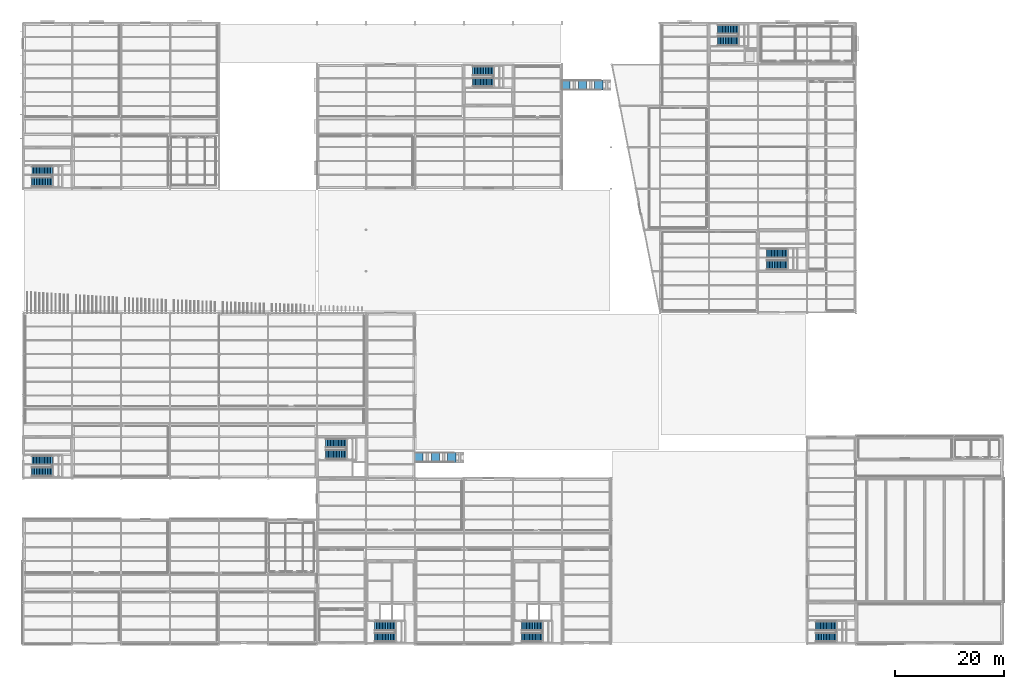
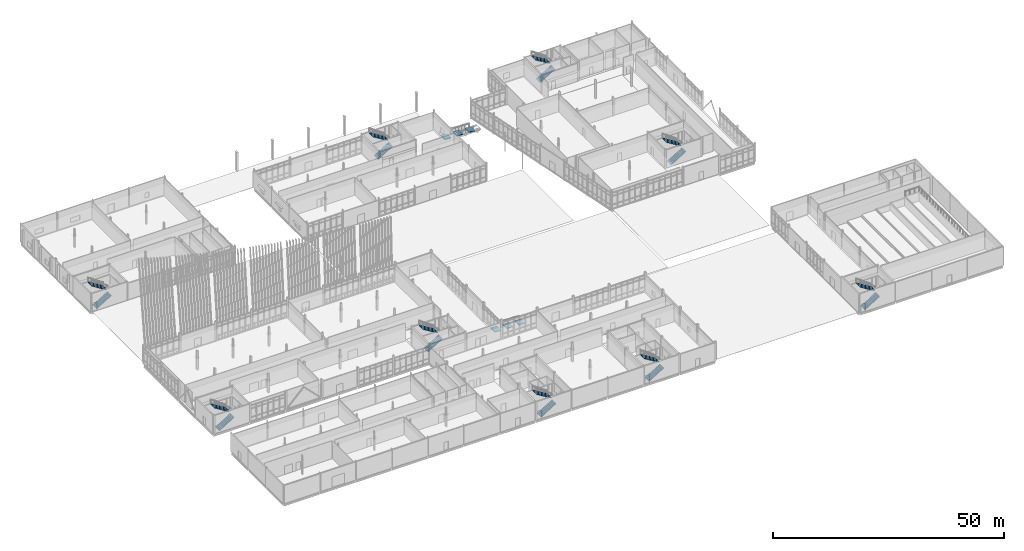
# One storey, part 151 of 161: 18 stair flights, 6 ramp flights, 11 elements without a shape of their own.
"""IFC4 building model written with IfcOpenShell, lengths in metres."""

from ifc_helpers import new_model, si_unit, direction, frame, origin, place, context, subcontext, project, spatial, polyline, outline, extrude, material, layer, layer_set, type_object, element, aggregate, save


model = new_model("IFC4")

# Units and contexts
model_context = context("Model", 3, precision=1e-05, world=origin(), true_north=direction((0.0, 1.0)))
body_context = subcontext(model_context, "Body", "Model", "MODEL_VIEW")
ifc_project = project(units=[si_unit("LENGTHUNIT", "METRE"), si_unit("AREAUNIT", "SQUARE_METRE"), si_unit("VOLUMEUNIT", "CUBIC_METRE"), si_unit("PLANEANGLEUNIT", "RADIAN"), si_unit("MASSUNIT", "GRAM", prefix="KILO")], contexts=[model_context])

# Site, building, storey
site_placement = place(None, origin())
site = spatial("IfcSite", under=ifc_project, at=site_placement, CompositionType="ELEMENT")
building_placement = place(site_placement, origin())
building = spatial("IfcBuilding", under=site, at=building_placement, Name="Caisbarro Railhouse Central Library", CompositionType="ELEMENT")
storey_placement = place(building_placement, origin())
storey = spatial("IfcBuildingStorey", under=building, at=storey_placement, Name="L00", CompositionType="ELEMENT", Elevation=0.0)

# Stair, stair flights
ifc_material = material(Name="Concrete C35", Category="concrete")
stair_type = type_object("IfcStairType", Name="STR-ST50", PredefinedType="HALF_TURN_STAIR", material=ifc_material)
stair_1_placement = place(storey_placement, origin())
stair_1 = element("IfcStair", 1, at=stair_1_placement, inside=storey, type_object=stair_type, Name="Protected Stair ST-01 (L00)", PredefinedType="HALF_TURN_STAIR")
stair_flight_type = type_object("IfcStairFlightType", Name="STF-ST50", PredefinedType="STRAIGHT", material=ifc_material)
stair_flight_1_placement = place(storey_placement, frame((64.550048828125, 1.169921875, 0.0), z_axis=(0.0, 0.0, 1.0), x_axis=(1.0, 0.0, 0.0)))
stair_flight_1 = element("IfcStairFlight", 2, at=stair_flight_1_placement, type_object=stair_flight_type, Name="ST-01 flight 1", NumberOfRisers=14, NumberOfTreads=13, PredefinedType="STRAIGHT", RiserHeight=0.18, TreadLength=0.29, context=body_context, shape_type="SweptSolid", body=[
    extrude(outline(polyline([(0.0, 0.0), (0.0, 0.179931640625), (0.2900390625, 0.179931640625), (0.2900390625, 0.360107421875), (0.580078125, 0.360107421875), (0.580078125, 0.5400390625), (0.8701171875, 0.5400390625), (0.8701171875, 0.719970703125), (1.159912109375, 0.719970703125), (1.159912109375, 0.89990234375), (1.449951171875, 0.89990234375), (1.449951171875, 1.080078125), (1.739990234375, 1.080078125), (1.739990234375, 1.260009765625), (2.030029296875, 1.260009765625), (2.030029296875, 1.43994140625), (2.320068359375, 1.43994140625), (2.320068359375, 1.6201171875), (2.610107421875, 1.6201171875), (2.610107421875, 1.800048828125), (2.89990234375, 1.800048828125), (2.89990234375, 1.97998046875), (3.18994140625, 1.97998046875), (3.18994140625, 2.159912109375), (3.47998046875, 2.159912109375), (3.47998046875, 2.340087890625), (3.77001953125, 2.340087890625), (3.77001953125, 2.52001953125), (3.77001953125, 2.15185546875), (0.30322265625, 0.0), (0.0, 0.0)])), frame((0.0, 0.830078125, 0.0), z_axis=(0.0, -1.0, 0.0), x_axis=(1.0, 0.0, 0.0)), (0.0, 0.0, 1.0), 1.659912109375),
])
stair_flight_2_placement = place(storey_placement, frame((68.360107421875, 3.280029296875, 2.52001953125), z_axis=(0.0, 0.0, 1.0), x_axis=(-1.0, 0.0, 0.0)))
stair_flight_2 = element("IfcStairFlight", 3, at=stair_flight_2_placement, type_object=stair_flight_type, Name="ST-01 flight 2", NumberOfRisers=14, NumberOfTreads=13, PredefinedType="STRAIGHT", RiserHeight=0.18, TreadLength=0.29, context=body_context, shape_type="SweptSolid", body=[
    extrude(outline(polyline([(0.0, 0.0), (0.0, 0.179931640625), (0.2900390625, 0.179931640625), (0.2900390625, 0.360107421875), (0.580078125, 0.360107421875), (0.580078125, 0.5400390625), (0.8701171875, 0.5400390625), (0.8701171875, 0.719970703125), (1.159912109375, 0.719970703125), (1.159912109375, 0.89990234375), (1.449951171875, 0.89990234375), (1.449951171875, 1.080078125), (1.739990234375, 1.080078125), (1.739990234375, 1.260009765625), (2.030029296875, 1.260009765625), (2.030029296875, 1.43994140625), (2.320068359375, 1.43994140625), (2.320068359375, 1.6201171875), (2.610107421875, 1.6201171875), (2.610107421875, 1.800048828125), (2.89990234375, 1.800048828125), (2.89990234375, 1.97998046875), (3.18994140625, 1.97998046875), (3.18994140625, 2.159912109375), (3.47998046875, 2.159912109375), (3.47998046875, 2.340087890625), (3.77001953125, 2.340087890625), (3.77001953125, 2.52001953125), (3.77001953125, 2.15185546875), (0.30322265625, 0.0), (0.0, 0.0)])), frame((0.0, 0.830078125, 0.0), z_axis=(0.0, -1.0, 0.0), x_axis=(1.0, 0.0, 0.0)), (0.0, 0.0, 1.0), 1.659912109375),
])
aggregate(stair_1, [stair_flight_1, stair_flight_2])

stair_2_placement = place(storey_placement, origin())
stair_2 = element("IfcStair", 4, at=stair_2_placement, inside=storey, type_object=stair_type, Name="Protected Stair ST-02 (L00)", PredefinedType="HALF_TURN_STAIR")
stair_flight_3_placement = place(storey_placement, frame((91.550048828125, 1.169921875, 0.0), z_axis=(0.0, 0.0, 1.0), x_axis=(1.0, 0.0, 0.0)))
stair_flight_3 = element("IfcStairFlight", 5, at=stair_flight_3_placement, type_object=stair_flight_type, Name="ST-02 flight 1", NumberOfRisers=14, NumberOfTreads=13, PredefinedType="STRAIGHT", RiserHeight=0.18, TreadLength=0.29, context=body_context, shape_type="SweptSolid", body=[
    extrude(outline(polyline([(0.0, 0.0), (0.0, 0.179931640625), (0.2900390625, 0.179931640625), (0.2900390625, 0.360107421875), (0.580078125, 0.360107421875), (0.580078125, 0.5400390625), (0.8701171875, 0.5400390625), (0.8701171875, 0.719970703125), (1.159912109375, 0.719970703125), (1.159912109375, 0.89990234375), (1.449951171875, 0.89990234375), (1.449951171875, 1.080078125), (1.739990234375, 1.080078125), (1.739990234375, 1.260009765625), (2.030029296875, 1.260009765625), (2.030029296875, 1.43994140625), (2.320068359375, 1.43994140625), (2.320068359375, 1.6201171875), (2.610107421875, 1.6201171875), (2.610107421875, 1.800048828125), (2.89990234375, 1.800048828125), (2.89990234375, 1.97998046875), (3.18994140625, 1.97998046875), (3.18994140625, 2.159912109375), (3.47998046875, 2.159912109375), (3.47998046875, 2.340087890625), (3.77001953125, 2.340087890625), (3.77001953125, 2.52001953125), (3.77001953125, 2.15185546875), (0.30322265625, 0.0), (0.0, 0.0)])), frame((0.0, 0.830078125, 0.0), z_axis=(0.0, -1.0, 0.0), x_axis=(1.0, 0.0, 0.0)), (0.0, 0.0, 1.0), 1.659912109375),
])
stair_flight_4_placement = place(storey_placement, frame((95.360107421875, 3.280029296875, 2.52001953125), z_axis=(0.0, 0.0, 1.0), x_axis=(-1.0, 0.0, 0.0)))
stair_flight_4 = element("IfcStairFlight", 6, at=stair_flight_4_placement, type_object=stair_flight_type, Name="ST-02 flight 2", NumberOfRisers=14, NumberOfTreads=13, PredefinedType="STRAIGHT", RiserHeight=0.18, TreadLength=0.29, context=body_context, shape_type="SweptSolid", body=[
    extrude(outline(polyline([(0.0, 0.0), (0.0, 0.179931640625), (0.2900390625, 0.179931640625), (0.2900390625, 0.360107421875), (0.580078125, 0.360107421875), (0.580078125, 0.5400390625), (0.8701171875, 0.5400390625), (0.8701171875, 0.719970703125), (1.159912109375, 0.719970703125), (1.159912109375, 0.89990234375), (1.449951171875, 0.89990234375), (1.449951171875, 1.080078125), (1.739990234375, 1.080078125), (1.739990234375, 1.260009765625), (2.030029296875, 1.260009765625), (2.030029296875, 1.43994140625), (2.320068359375, 1.43994140625), (2.320068359375, 1.6201171875), (2.610107421875, 1.6201171875), (2.610107421875, 1.800048828125), (2.89990234375, 1.800048828125), (2.89990234375, 1.97998046875), (3.18994140625, 1.97998046875), (3.18994140625, 2.159912109375), (3.47998046875, 2.159912109375), (3.47998046875, 2.340087890625), (3.77001953125, 2.340087890625), (3.77001953125, 2.52001953125), (3.77001953125, 2.15185546875), (0.30322265625, 0.0), (0.0, 0.0)])), frame((0.0, 0.830078125, 0.0), z_axis=(0.0, -1.0, 0.0), x_axis=(1.0, 0.0, 0.0)), (0.0, 0.0, 1.0), 1.659912109375),
])
aggregate(stair_2, [stair_flight_3, stair_flight_4])

stair_3_placement = place(storey_placement, origin())
stair_3 = element("IfcStair", 7, at=stair_3_placement, inside=storey, type_object=stair_type, Name="Protected Stair ST-03 (L00)", PredefinedType="HALF_TURN_STAIR")
stair_flight_5_placement = place(storey_placement, frame((127.550048828125, 110.719970703125, 0.0), z_axis=(0.0, 0.0, 1.0), x_axis=(1.0, 0.0, 0.0)))
stair_flight_5 = element("IfcStairFlight", 8, at=stair_flight_5_placement, type_object=stair_flight_type, Name="ST-03 flight 1", NumberOfRisers=14, NumberOfTreads=13, PredefinedType="STRAIGHT", RiserHeight=0.18, TreadLength=0.29, context=body_context, shape_type="SweptSolid", body=[
    extrude(outline(polyline([(0.0, 0.0), (0.0, 0.179931640625), (0.2900390625, 0.179931640625), (0.2900390625, 0.360107421875), (0.580078125, 0.360107421875), (0.580078125, 0.5400390625), (0.8701171875, 0.5400390625), (0.8701171875, 0.719970703125), (1.159912109375, 0.719970703125), (1.159912109375, 0.89990234375), (1.449951171875, 0.89990234375), (1.449951171875, 1.080078125), (1.739990234375, 1.080078125), (1.739990234375, 1.260009765625), (2.030029296875, 1.260009765625), (2.030029296875, 1.43994140625), (2.320068359375, 1.43994140625), (2.320068359375, 1.6201171875), (2.610107421875, 1.6201171875), (2.610107421875, 1.800048828125), (2.89990234375, 1.800048828125), (2.89990234375, 1.97998046875), (3.18994140625, 1.97998046875), (3.18994140625, 2.159912109375), (3.47998046875, 2.159912109375), (3.47998046875, 2.340087890625), (3.77001953125, 2.340087890625), (3.77001953125, 2.52001953125), (3.77001953125, 2.15185546875), (0.30322265625, 0.0), (0.0, 0.0)])), frame((0.0, 0.830078125, 0.0), z_axis=(0.0, -1.0, 0.0), x_axis=(1.0, 0.0, 0.0)), (0.0, 0.0, 1.0), 1.659912109375),
])
stair_flight_6_placement = place(storey_placement, frame((131.360107421875, 112.830078125, 2.52001953125), z_axis=(0.0, 0.0, 1.0), x_axis=(-1.0, 0.0, 0.0)))
stair_flight_6 = element("IfcStairFlight", 9, at=stair_flight_6_placement, type_object=stair_flight_type, Name="ST-03 flight 2", NumberOfRisers=14, NumberOfTreads=13, PredefinedType="STRAIGHT", RiserHeight=0.18, TreadLength=0.29, context=body_context, shape_type="SweptSolid", body=[
    extrude(outline(polyline([(0.0, 0.0), (0.0, 0.179931640625), (0.2900390625, 0.179931640625), (0.2900390625, 0.360107421875), (0.580078125, 0.360107421875), (0.580078125, 0.5400390625), (0.8701171875, 0.5400390625), (0.8701171875, 0.719970703125), (1.159912109375, 0.719970703125), (1.159912109375, 0.89990234375), (1.449951171875, 0.89990234375), (1.449951171875, 1.080078125), (1.739990234375, 1.080078125), (1.739990234375, 1.260009765625), (2.030029296875, 1.260009765625), (2.030029296875, 1.43994140625), (2.320068359375, 1.43994140625), (2.320068359375, 1.6201171875), (2.610107421875, 1.6201171875), (2.610107421875, 1.800048828125), (2.89990234375, 1.800048828125), (2.89990234375, 1.97998046875), (3.18994140625, 1.97998046875), (3.18994140625, 2.159912109375), (3.47998046875, 2.159912109375), (3.47998046875, 2.340087890625), (3.77001953125, 2.340087890625), (3.77001953125, 2.52001953125), (3.77001953125, 2.15185546875), (0.30322265625, 0.0), (0.0, 0.0)])), frame((0.0, 0.830078125, 0.0), z_axis=(0.0, -1.0, 0.0), x_axis=(1.0, 0.0, 0.0)), (0.0, 0.0, 1.0), 1.659912109375),
])
aggregate(stair_3, [stair_flight_5, stair_flight_6])

stair_4_placement = place(storey_placement, origin())
stair_4 = element("IfcStair", 10, at=stair_4_placement, inside=storey, type_object=stair_type, Name="Protected Stair ST-04 (L00)", PredefinedType="HALF_TURN_STAIR")
stair_flight_7_placement = place(storey_placement, frame((55.550048828125, 34.719970703125, 0.0), z_axis=(0.0, 0.0, 1.0), x_axis=(1.0, 0.0, 0.0)))
stair_flight_7 = element("IfcStairFlight", 11, at=stair_flight_7_placement, type_object=stair_flight_type, Name="ST-04 flight 1", NumberOfRisers=14, NumberOfTreads=13, PredefinedType="STRAIGHT", RiserHeight=0.18, TreadLength=0.29, context=body_context, shape_type="SweptSolid", body=[
    extrude(outline(polyline([(0.0, 0.0), (0.0, 0.179931640625), (0.2900390625, 0.179931640625), (0.2900390625, 0.360107421875), (0.580078125, 0.360107421875), (0.580078125, 0.5400390625), (0.8701171875, 0.5400390625), (0.8701171875, 0.719970703125), (1.159912109375, 0.719970703125), (1.159912109375, 0.89990234375), (1.449951171875, 0.89990234375), (1.449951171875, 1.080078125), (1.739990234375, 1.080078125), (1.739990234375, 1.260009765625), (2.030029296875, 1.260009765625), (2.030029296875, 1.43994140625), (2.320068359375, 1.43994140625), (2.320068359375, 1.6201171875), (2.610107421875, 1.6201171875), (2.610107421875, 1.800048828125), (2.89990234375, 1.800048828125), (2.89990234375, 1.97998046875), (3.18994140625, 1.97998046875), (3.18994140625, 2.159912109375), (3.47998046875, 2.159912109375), (3.47998046875, 2.340087890625), (3.77001953125, 2.340087890625), (3.77001953125, 2.52001953125), (3.77001953125, 2.15185546875), (0.30322265625, 0.0), (0.0, 0.0)])), frame((0.0, 0.830078125, 0.0), z_axis=(0.0, -1.0, 0.0), x_axis=(1.0, 0.0, 0.0)), (0.0, 0.0, 1.0), 1.659912109375),
])
stair_flight_8_placement = place(storey_placement, frame((59.360107421875, 36.830078125, 2.52001953125), z_axis=(0.0, 0.0, 1.0), x_axis=(-1.0, 0.0, 0.0)))
stair_flight_8 = element("IfcStairFlight", 12, at=stair_flight_8_placement, type_object=stair_flight_type, Name="ST-04 flight 2", NumberOfRisers=14, NumberOfTreads=13, PredefinedType="STRAIGHT", RiserHeight=0.18, TreadLength=0.29, context=body_context, shape_type="SweptSolid", body=[
    extrude(outline(polyline([(0.0, 0.0), (0.0, 0.179931640625), (0.2900390625, 0.179931640625), (0.2900390625, 0.360107421875), (0.580078125, 0.360107421875), (0.580078125, 0.5400390625), (0.8701171875, 0.5400390625), (0.8701171875, 0.719970703125), (1.159912109375, 0.719970703125), (1.159912109375, 0.89990234375), (1.449951171875, 0.89990234375), (1.449951171875, 1.080078125), (1.739990234375, 1.080078125), (1.739990234375, 1.260009765625), (2.030029296875, 1.260009765625), (2.030029296875, 1.43994140625), (2.320068359375, 1.43994140625), (2.320068359375, 1.6201171875), (2.610107421875, 1.6201171875), (2.610107421875, 1.800048828125), (2.89990234375, 1.800048828125), (2.89990234375, 1.97998046875), (3.18994140625, 1.97998046875), (3.18994140625, 2.159912109375), (3.47998046875, 2.159912109375), (3.47998046875, 2.340087890625), (3.77001953125, 2.340087890625), (3.77001953125, 2.52001953125), (3.77001953125, 2.15185546875), (0.30322265625, 0.0), (0.0, 0.0)])), frame((0.0, 0.830078125, 0.0), z_axis=(0.0, -1.0, 0.0), x_axis=(1.0, 0.0, 0.0)), (0.0, 0.0, 1.0), 1.659912109375),
])
aggregate(stair_4, [stair_flight_7, stair_flight_8])

stair_5_placement = place(storey_placement, origin())
stair_5 = element("IfcStair", 13, at=stair_5_placement, inside=storey, type_object=stair_type, Name="Protected Stair ST-05 (L00)", PredefinedType="HALF_TURN_STAIR")
stair_flight_9_placement = place(storey_placement, frame((82.550048828125, 103.1201171875, 0.0), z_axis=(0.0, 0.0, 1.0), x_axis=(1.0, 0.0, 0.0)))
stair_flight_9 = element("IfcStairFlight", 14, at=stair_flight_9_placement, type_object=stair_flight_type, Name="ST-05 flight 1", NumberOfRisers=14, NumberOfTreads=13, PredefinedType="STRAIGHT", RiserHeight=0.18, TreadLength=0.29, context=body_context, shape_type="SweptSolid", body=[
    extrude(outline(polyline([(0.0, 0.0), (0.0, 0.179931640625), (0.2900390625, 0.179931640625), (0.2900390625, 0.360107421875), (0.580078125, 0.360107421875), (0.580078125, 0.5400390625), (0.8701171875, 0.5400390625), (0.8701171875, 0.719970703125), (1.159912109375, 0.719970703125), (1.159912109375, 0.89990234375), (1.449951171875, 0.89990234375), (1.449951171875, 1.080078125), (1.739990234375, 1.080078125), (1.739990234375, 1.260009765625), (2.030029296875, 1.260009765625), (2.030029296875, 1.43994140625), (2.320068359375, 1.43994140625), (2.320068359375, 1.6201171875), (2.610107421875, 1.6201171875), (2.610107421875, 1.800048828125), (2.89990234375, 1.800048828125), (2.89990234375, 1.97998046875), (3.18994140625, 1.97998046875), (3.18994140625, 2.159912109375), (3.47998046875, 2.159912109375), (3.47998046875, 2.340087890625), (3.77001953125, 2.340087890625), (3.77001953125, 2.52001953125), (3.77001953125, 2.15185546875), (0.30322265625, 0.0), (0.0, 0.0)])), frame((0.0, 0.830078125, 0.0), z_axis=(0.0, -1.0, 0.0), x_axis=(1.0, 0.0, 0.0)), (0.0, 0.0, 1.0), 1.659912109375),
])
stair_flight_10_placement = place(storey_placement, frame((86.360107421875, 105.22998046875, 2.52001953125), z_axis=(0.0, 0.0, 1.0), x_axis=(-1.0, 0.0, 0.0)))
stair_flight_10 = element("IfcStairFlight", 15, at=stair_flight_10_placement, type_object=stair_flight_type, Name="ST-05 flight 2", NumberOfRisers=14, NumberOfTreads=13, PredefinedType="STRAIGHT", RiserHeight=0.18, TreadLength=0.29, context=body_context, shape_type="SweptSolid", body=[
    extrude(outline(polyline([(0.0, 0.0), (0.0, 0.179931640625), (0.2900390625, 0.179931640625), (0.2900390625, 0.360107421875), (0.580078125, 0.360107421875), (0.580078125, 0.5400390625), (0.8701171875, 0.5400390625), (0.8701171875, 0.719970703125), (1.159912109375, 0.719970703125), (1.159912109375, 0.89990234375), (1.449951171875, 0.89990234375), (1.449951171875, 1.080078125), (1.739990234375, 1.080078125), (1.739990234375, 1.260009765625), (2.030029296875, 1.260009765625), (2.030029296875, 1.43994140625), (2.320068359375, 1.43994140625), (2.320068359375, 1.6201171875), (2.610107421875, 1.6201171875), (2.610107421875, 1.800048828125), (2.89990234375, 1.800048828125), (2.89990234375, 1.97998046875), (3.18994140625, 1.97998046875), (3.18994140625, 2.159912109375), (3.47998046875, 2.159912109375), (3.47998046875, 2.340087890625), (3.77001953125, 2.340087890625), (3.77001953125, 2.52001953125), (3.77001953125, 2.15185546875), (0.30322265625, 0.0), (0.0, 0.0)])), frame((0.0, 0.830078125, 0.0), z_axis=(0.0, -1.0, 0.0), x_axis=(1.0, 0.0, 0.0)), (0.0, 0.0, 1.0), 1.659912109375),
])
aggregate(stair_5, [stair_flight_9, stair_flight_10])

stair_6_placement = place(storey_placement, origin())
stair_6 = element("IfcStair", 16, at=stair_6_placement, inside=storey, type_object=stair_type, Name="Protected Stair ST-06 (L00)", PredefinedType="HALF_TURN_STAIR")
stair_flight_11_placement = place(storey_placement, frame((1.550048828125, 31.570068359375, 0.0), z_axis=(0.0, 0.0, 1.0), x_axis=(1.0, 0.0, 0.0)))
stair_flight_11 = element("IfcStairFlight", 17, at=stair_flight_11_placement, type_object=stair_flight_type, Name="ST-06 flight 1", NumberOfRisers=14, NumberOfTreads=13, PredefinedType="STRAIGHT", RiserHeight=0.18, TreadLength=0.29, context=body_context, shape_type="SweptSolid", body=[
    extrude(outline(polyline([(0.0, 0.0), (0.0, 0.179931640625), (0.2900390625, 0.179931640625), (0.2900390625, 0.360107421875), (0.580078125, 0.360107421875), (0.580078125, 0.5400390625), (0.8701171875, 0.5400390625), (0.8701171875, 0.719970703125), (1.159912109375, 0.719970703125), (1.159912109375, 0.89990234375), (1.449951171875, 0.89990234375), (1.449951171875, 1.080078125), (1.739990234375, 1.080078125), (1.739990234375, 1.260009765625), (2.030029296875, 1.260009765625), (2.030029296875, 1.43994140625), (2.320068359375, 1.43994140625), (2.320068359375, 1.6201171875), (2.610107421875, 1.6201171875), (2.610107421875, 1.800048828125), (2.89990234375, 1.800048828125), (2.89990234375, 1.97998046875), (3.18994140625, 1.97998046875), (3.18994140625, 2.159912109375), (3.47998046875, 2.159912109375), (3.47998046875, 2.340087890625), (3.77001953125, 2.340087890625), (3.77001953125, 2.52001953125), (3.77001953125, 2.15185546875), (0.30322265625, 0.0), (0.0, 0.0)])), frame((0.0, 0.830078125, 0.0), z_axis=(0.0, -1.0, 0.0), x_axis=(1.0, 0.0, 0.0)), (0.0, 0.0, 1.0), 1.659912109375),
])
stair_flight_12_placement = place(storey_placement, frame((5.360107421875, 33.679931640625, 2.52001953125), z_axis=(0.0, 0.0, 1.0), x_axis=(-1.0, 0.0, 0.0)))
stair_flight_12 = element("IfcStairFlight", 18, at=stair_flight_12_placement, type_object=stair_flight_type, Name="ST-06 flight 2", NumberOfRisers=14, NumberOfTreads=13, PredefinedType="STRAIGHT", RiserHeight=0.18, TreadLength=0.29, context=body_context, shape_type="SweptSolid", body=[
    extrude(outline(polyline([(0.0, 0.0), (0.0, 0.179931640625), (0.2900390625, 0.179931640625), (0.2900390625, 0.360107421875), (0.580078125, 0.360107421875), (0.580078125, 0.5400390625), (0.8701171875, 0.5400390625), (0.8701171875, 0.719970703125), (1.159912109375, 0.719970703125), (1.159912109375, 0.89990234375), (1.449951171875, 0.89990234375), (1.449951171875, 1.080078125), (1.739990234375, 1.080078125), (1.739990234375, 1.260009765625), (2.030029296875, 1.260009765625), (2.030029296875, 1.43994140625), (2.320068359375, 1.43994140625), (2.320068359375, 1.6201171875), (2.610107421875, 1.6201171875), (2.610107421875, 1.800048828125), (2.89990234375, 1.800048828125), (2.89990234375, 1.97998046875), (3.18994140625, 1.97998046875), (3.18994140625, 2.159912109375), (3.47998046875, 2.159912109375), (3.47998046875, 2.340087890625), (3.77001953125, 2.340087890625), (3.77001953125, 2.52001953125), (3.77001953125, 2.15185546875), (0.30322265625, 0.0), (0.0, 0.0)])), frame((0.0, 0.830078125, 0.0), z_axis=(0.0, -1.0, 0.0), x_axis=(1.0, 0.0, 0.0)), (0.0, 0.0, 1.0), 1.659912109375),
])
aggregate(stair_6, [stair_flight_11, stair_flight_12])

stair_7_placement = place(storey_placement, origin())
stair_7 = element("IfcStair", 19, at=stair_7_placement, inside=storey, type_object=stair_type, Name="Protected Stair ST-07 (L00)", PredefinedType="HALF_TURN_STAIR")
stair_flight_13_placement = place(storey_placement, frame((136.550048828125, 69.570068359375, 0.0), z_axis=(0.0, 0.0, 1.0), x_axis=(1.0, 0.0, 0.0)))
stair_flight_13 = element("IfcStairFlight", 20, at=stair_flight_13_placement, type_object=stair_flight_type, Name="ST-07 flight 1", NumberOfRisers=14, NumberOfTreads=13, PredefinedType="STRAIGHT", RiserHeight=0.18, TreadLength=0.29, context=body_context, shape_type="SweptSolid", body=[
    extrude(outline(polyline([(0.0, 0.0), (0.0, 0.179931640625), (0.2900390625, 0.179931640625), (0.2900390625, 0.360107421875), (0.580078125, 0.360107421875), (0.580078125, 0.5400390625), (0.8701171875, 0.5400390625), (0.8701171875, 0.719970703125), (1.159912109375, 0.719970703125), (1.159912109375, 0.89990234375), (1.449951171875, 0.89990234375), (1.449951171875, 1.080078125), (1.739990234375, 1.080078125), (1.739990234375, 1.260009765625), (2.030029296875, 1.260009765625), (2.030029296875, 1.43994140625), (2.320068359375, 1.43994140625), (2.320068359375, 1.6201171875), (2.610107421875, 1.6201171875), (2.610107421875, 1.800048828125), (2.89990234375, 1.800048828125), (2.89990234375, 1.97998046875), (3.18994140625, 1.97998046875), (3.18994140625, 2.159912109375), (3.47998046875, 2.159912109375), (3.47998046875, 2.340087890625), (3.77001953125, 2.340087890625), (3.77001953125, 2.52001953125), (3.77001953125, 2.15185546875), (0.30322265625, 0.0), (0.0, 0.0)])), frame((0.0, 0.830078125, 0.0), z_axis=(0.0, -1.0, 0.0), x_axis=(1.0, 0.0, 0.0)), (0.0, 0.0, 1.0), 1.659912109375),
])
stair_flight_14_placement = place(storey_placement, frame((140.360107421875, 71.679931640625, 2.52001953125), z_axis=(0.0, 0.0, 1.0), x_axis=(-1.0, 0.0, 0.0)))
stair_flight_14 = element("IfcStairFlight", 21, at=stair_flight_14_placement, type_object=stair_flight_type, Name="ST-07 flight 2", NumberOfRisers=14, NumberOfTreads=13, PredefinedType="STRAIGHT", RiserHeight=0.18, TreadLength=0.29, context=body_context, shape_type="SweptSolid", body=[
    extrude(outline(polyline([(0.0, 0.0), (0.0, 0.179931640625), (0.2900390625, 0.179931640625), (0.2900390625, 0.360107421875), (0.580078125, 0.360107421875), (0.580078125, 0.5400390625), (0.8701171875, 0.5400390625), (0.8701171875, 0.719970703125), (1.159912109375, 0.719970703125), (1.159912109375, 0.89990234375), (1.449951171875, 0.89990234375), (1.449951171875, 1.080078125), (1.739990234375, 1.080078125), (1.739990234375, 1.260009765625), (2.030029296875, 1.260009765625), (2.030029296875, 1.43994140625), (2.320068359375, 1.43994140625), (2.320068359375, 1.6201171875), (2.610107421875, 1.6201171875), (2.610107421875, 1.800048828125), (2.89990234375, 1.800048828125), (2.89990234375, 1.97998046875), (3.18994140625, 1.97998046875), (3.18994140625, 2.159912109375), (3.47998046875, 2.159912109375), (3.47998046875, 2.340087890625), (3.77001953125, 2.340087890625), (3.77001953125, 2.52001953125), (3.77001953125, 2.15185546875), (0.30322265625, 0.0), (0.0, 0.0)])), frame((0.0, 0.830078125, 0.0), z_axis=(0.0, -1.0, 0.0), x_axis=(1.0, 0.0, 0.0)), (0.0, 0.0, 1.0), 1.659912109375),
])
aggregate(stair_7, [stair_flight_13, stair_flight_14])

stair_8_placement = place(storey_placement, origin())
stair_8 = element("IfcStair", 22, at=stair_8_placement, inside=storey, type_object=stair_type, Name="Protected Stair ST-08 (L00)", PredefinedType="HALF_TURN_STAIR")
stair_flight_15_placement = place(storey_placement, frame((1.550048828125, 84.77001953125, 0.0), z_axis=(0.0, 0.0, 1.0), x_axis=(1.0, 0.0, 0.0)))
stair_flight_15 = element("IfcStairFlight", 23, at=stair_flight_15_placement, type_object=stair_flight_type, Name="ST-08 flight 1", NumberOfRisers=14, NumberOfTreads=13, PredefinedType="STRAIGHT", RiserHeight=0.18, TreadLength=0.29, context=body_context, shape_type="SweptSolid", body=[
    extrude(outline(polyline([(0.0, 0.0), (0.0, 0.179931640625), (0.2900390625, 0.179931640625), (0.2900390625, 0.360107421875), (0.580078125, 0.360107421875), (0.580078125, 0.5400390625), (0.8701171875, 0.5400390625), (0.8701171875, 0.719970703125), (1.159912109375, 0.719970703125), (1.159912109375, 0.89990234375), (1.449951171875, 0.89990234375), (1.449951171875, 1.080078125), (1.739990234375, 1.080078125), (1.739990234375, 1.260009765625), (2.030029296875, 1.260009765625), (2.030029296875, 1.43994140625), (2.320068359375, 1.43994140625), (2.320068359375, 1.6201171875), (2.610107421875, 1.6201171875), (2.610107421875, 1.800048828125), (2.89990234375, 1.800048828125), (2.89990234375, 1.97998046875), (3.18994140625, 1.97998046875), (3.18994140625, 2.159912109375), (3.47998046875, 2.159912109375), (3.47998046875, 2.340087890625), (3.77001953125, 2.340087890625), (3.77001953125, 2.52001953125), (3.77001953125, 2.15185546875), (0.30322265625, 0.0), (0.0, 0.0)])), frame((0.0, 0.830078125, 0.0), z_axis=(0.0, -1.0, 0.0), x_axis=(1.0, 0.0, 0.0)), (0.0, 0.0, 1.0), 1.659912109375),
])
stair_flight_16_placement = place(storey_placement, frame((5.360107421875, 86.8798828125, 2.52001953125), z_axis=(0.0, 0.0, 1.0), x_axis=(-1.0, 0.0, 0.0)))
stair_flight_16 = element("IfcStairFlight", 24, at=stair_flight_16_placement, type_object=stair_flight_type, Name="ST-08 flight 2", NumberOfRisers=14, NumberOfTreads=13, PredefinedType="STRAIGHT", RiserHeight=0.18, TreadLength=0.29, context=body_context, shape_type="SweptSolid", body=[
    extrude(outline(polyline([(0.0, 0.0), (0.0, 0.179931640625), (0.2900390625, 0.179931640625), (0.2900390625, 0.360107421875), (0.580078125, 0.360107421875), (0.580078125, 0.5400390625), (0.8701171875, 0.5400390625), (0.8701171875, 0.719970703125), (1.159912109375, 0.719970703125), (1.159912109375, 0.89990234375), (1.449951171875, 0.89990234375), (1.449951171875, 1.080078125), (1.739990234375, 1.080078125), (1.739990234375, 1.260009765625), (2.030029296875, 1.260009765625), (2.030029296875, 1.43994140625), (2.320068359375, 1.43994140625), (2.320068359375, 1.6201171875), (2.610107421875, 1.6201171875), (2.610107421875, 1.800048828125), (2.89990234375, 1.800048828125), (2.89990234375, 1.97998046875), (3.18994140625, 1.97998046875), (3.18994140625, 2.159912109375), (3.47998046875, 2.159912109375), (3.47998046875, 2.340087890625), (3.77001953125, 2.340087890625), (3.77001953125, 2.52001953125), (3.77001953125, 2.15185546875), (0.30322265625, 0.0), (0.0, 0.0)])), frame((0.0, 0.830078125, 0.0), z_axis=(0.0, -1.0, 0.0), x_axis=(1.0, 0.0, 0.0)), (0.0, 0.0, 1.0), 1.659912109375),
])
aggregate(stair_8, [stair_flight_15, stair_flight_16])

stair_9_placement = place(storey_placement, origin())
stair_9 = element("IfcStair", 25, at=stair_9_placement, inside=storey, type_object=stair_type, Name="Protected Stair ST-09 (L00)", PredefinedType="HALF_TURN_STAIR")
stair_flight_17_placement = place(storey_placement, frame((145.550048828125, 1.169921875, 0.0), z_axis=(0.0, 0.0, 1.0), x_axis=(1.0, 0.0, 0.0)))
stair_flight_17 = element("IfcStairFlight", 26, at=stair_flight_17_placement, type_object=stair_flight_type, Name="ST-09 flight 1", NumberOfRisers=14, NumberOfTreads=13, PredefinedType="STRAIGHT", RiserHeight=0.18, TreadLength=0.29, context=body_context, shape_type="SweptSolid", body=[
    extrude(outline(polyline([(0.0, 0.0), (0.0, 0.179931640625), (0.2900390625, 0.179931640625), (0.2900390625, 0.360107421875), (0.580078125, 0.360107421875), (0.580078125, 0.5400390625), (0.8701171875, 0.5400390625), (0.8701171875, 0.719970703125), (1.159912109375, 0.719970703125), (1.159912109375, 0.89990234375), (1.449951171875, 0.89990234375), (1.449951171875, 1.080078125), (1.739990234375, 1.080078125), (1.739990234375, 1.260009765625), (2.030029296875, 1.260009765625), (2.030029296875, 1.43994140625), (2.320068359375, 1.43994140625), (2.320068359375, 1.6201171875), (2.610107421875, 1.6201171875), (2.610107421875, 1.800048828125), (2.89990234375, 1.800048828125), (2.89990234375, 1.97998046875), (3.18994140625, 1.97998046875), (3.18994140625, 2.159912109375), (3.47998046875, 2.159912109375), (3.47998046875, 2.340087890625), (3.77001953125, 2.340087890625), (3.77001953125, 2.52001953125), (3.77001953125, 2.15185546875), (0.30322265625, 0.0), (0.0, 0.0)])), frame((0.0, 0.830078125, 0.0), z_axis=(0.0, -1.0, 0.0), x_axis=(1.0, 0.0, 0.0)), (0.0, 0.0, 1.0), 1.659912109375),
])
stair_flight_18_placement = place(storey_placement, frame((149.360107421875, 3.280029296875, 2.52001953125), z_axis=(0.0, 0.0, 1.0), x_axis=(-1.0, 0.0, 0.0)))
stair_flight_18 = element("IfcStairFlight", 27, at=stair_flight_18_placement, type_object=stair_flight_type, Name="ST-09 flight 2", NumberOfRisers=14, NumberOfTreads=13, PredefinedType="STRAIGHT", RiserHeight=0.18, TreadLength=0.29, context=body_context, shape_type="SweptSolid", body=[
    extrude(outline(polyline([(0.0, 0.0), (0.0, 0.179931640625), (0.2900390625, 0.179931640625), (0.2900390625, 0.360107421875), (0.580078125, 0.360107421875), (0.580078125, 0.5400390625), (0.8701171875, 0.5400390625), (0.8701171875, 0.719970703125), (1.159912109375, 0.719970703125), (1.159912109375, 0.89990234375), (1.449951171875, 0.89990234375), (1.449951171875, 1.080078125), (1.739990234375, 1.080078125), (1.739990234375, 1.260009765625), (2.030029296875, 1.260009765625), (2.030029296875, 1.43994140625), (2.320068359375, 1.43994140625), (2.320068359375, 1.6201171875), (2.610107421875, 1.6201171875), (2.610107421875, 1.800048828125), (2.89990234375, 1.800048828125), (2.89990234375, 1.97998046875), (3.18994140625, 1.97998046875), (3.18994140625, 2.159912109375), (3.47998046875, 2.159912109375), (3.47998046875, 2.340087890625), (3.77001953125, 2.340087890625), (3.77001953125, 2.52001953125), (3.77001953125, 2.15185546875), (0.30322265625, 0.0), (0.0, 0.0)])), frame((0.0, 0.830078125, 0.0), z_axis=(0.0, -1.0, 0.0), x_axis=(1.0, 0.0, 0.0)), (0.0, 0.0, 1.0), 1.659912109375),
])
aggregate(stair_9, [stair_flight_17, stair_flight_18])

# Ramp, ramp flights
ramp_type = type_object("IfcRampType", Name="RMP-ACC01", PredefinedType="STRAIGHT_RUN_RAMP", material=ifc_material)
ramp_1_placement = place(storey_placement, origin())
ramp_1 = element("IfcRamp", 28, at=ramp_1_placement, inside=storey, type_object=ramp_type, Name="RP01 Accessible Entrance Ramp 1", PredefinedType="STRAIGHT_RUN_RAMP")
ifc_layer = layer(ifc_material, 0.179931640625, Name="Concrete C35")
ifc_layer_set = layer_set([ifc_layer], Name="Concrete C35")
ramp_flight_type = type_object("IfcRampFlightType", Name="RMF-ACC01", PredefinedType="STRAIGHT", material=ifc_layer_set)
ramp_flight_1_placement = place(storey_placement, frame((78.0, 33.300048828125, -0.239990234375), z_axis=(0.079822602517, 0.0, 0.996809085095), x_axis=(0.996809085095, 0.0, -0.079822602517)))
ramp_flight_1 = element("IfcRampFlight", 29, at=ramp_flight_1_placement, type_object=ramp_flight_type, Name="Ramp 1 Flight 1", PredefinedType="STRAIGHT", context=body_context, shape_type="SweptSolid", body=[
    extrude(outline(polyline([(0.0, 0.0), (1.5048016941553828, 0.0), (1.5048016941553828, 1.800048828125), (0.0, 1.800048828125), (0.0, 0.0)])), origin(), (0.0, 0.0, -1.0), 0.179931640625),
])
ramp_flight_2_placement = place(storey_placement, frame((75.0, 33.300048828125, -0.1201171875), z_axis=(0.079661392069, 0.0, 0.996821981406), x_axis=(0.996821981406, 0.0, -0.079661392069)))
ramp_flight_2 = element("IfcRampFlight", 30, at=ramp_flight_2_placement, type_object=ramp_flight_type, Name="Ramp 1 Flight 2", PredefinedType="STRAIGHT", context=body_context, shape_type="SweptSolid", body=[
    extrude(outline(polyline([(0.0, 0.0), (1.5047822258941976, 0.0), (1.5047822258941976, 1.800048828125), (0.0, 1.800048828125), (0.0, 0.0)])), origin(), (0.0, 0.0, -1.0), 0.179931640625),
])
ramp_flight_3_placement = place(storey_placement, frame((72.0, 33.300048828125, 0.0), z_axis=(0.079822602517, 0.0, 0.996809085095), x_axis=(0.996809085095, 0.0, -0.079822602517)))
ramp_flight_3 = element("IfcRampFlight", 31, at=ramp_flight_3_placement, type_object=ramp_flight_type, Name="Ramp 1 Flight 3", PredefinedType="STRAIGHT", context=body_context, shape_type="SweptSolid", body=[
    extrude(outline(polyline([(0.0, 0.0), (1.5048016941553828, 0.0), (1.5048016941553828, 1.800048828125), (0.0, 1.800048828125), (0.0, 0.0)])), origin(), (0.0, 0.0, -1.0), 0.179931640625),
])
aggregate(ramp_1, [ramp_flight_1, ramp_flight_2, ramp_flight_3])

ramp_2_placement = place(storey_placement, origin())
ramp_2 = element("IfcRamp", 32, at=ramp_2_placement, inside=storey, type_object=ramp_type, Name="RP01 Accessible Entrance Ramp 2", PredefinedType="STRAIGHT_RUN_RAMP")
ramp_flight_4_placement = place(storey_placement, frame((105.0, 101.699951171875, -0.239990234375), z_axis=(0.079822602517, 0.0, 0.996809085095), x_axis=(0.996809085095, 0.0, -0.079822602517)))
ramp_flight_4 = element("IfcRampFlight", 33, at=ramp_flight_4_placement, type_object=ramp_flight_type, Name="Ramp 2 Flight 1", PredefinedType="STRAIGHT", context=body_context, shape_type="SweptSolid", body=[
    extrude(outline(polyline([(0.0, 0.0), (1.5048016941553828, 0.0), (1.5048016941553828, 1.800048828125), (0.0, 1.800048828125), (0.0, 0.0)])), origin(), (0.0, 0.0, -1.0), 0.179931640625),
])
ramp_flight_5_placement = place(storey_placement, frame((102.0, 101.699951171875, -0.1201171875), z_axis=(0.079661392069, 0.0, 0.996821981406), x_axis=(0.996821981406, 0.0, -0.079661392069)))
ramp_flight_5 = element("IfcRampFlight", 34, at=ramp_flight_5_placement, type_object=ramp_flight_type, Name="Ramp 2 Flight 2", PredefinedType="STRAIGHT", context=body_context, shape_type="SweptSolid", body=[
    extrude(outline(polyline([(0.0, 0.0), (1.5047822258941976, 0.0), (1.5047822258941976, 1.800048828125), (0.0, 1.800048828125), (0.0, 0.0)])), origin(), (0.0, 0.0, -1.0), 0.179931640625),
])
ramp_flight_6_placement = place(storey_placement, frame((99.0, 101.699951171875, 0.0), z_axis=(0.079822602517, 0.0, 0.996809085095), x_axis=(0.996809085095, 0.0, -0.079822602517)))
ramp_flight_6 = element("IfcRampFlight", 35, at=ramp_flight_6_placement, type_object=ramp_flight_type, Name="Ramp 2 Flight 3", PredefinedType="STRAIGHT", context=body_context, shape_type="SweptSolid", body=[
    extrude(outline(polyline([(0.0, 0.0), (1.5048016941553828, 0.0), (1.5048016941553828, 1.800048828125), (0.0, 1.800048828125), (0.0, 0.0)])), origin(), (0.0, 0.0, -1.0), 0.179931640625),
])
aggregate(ramp_2, [ramp_flight_4, ramp_flight_5, ramp_flight_6])

save(model, "model.ifc")
